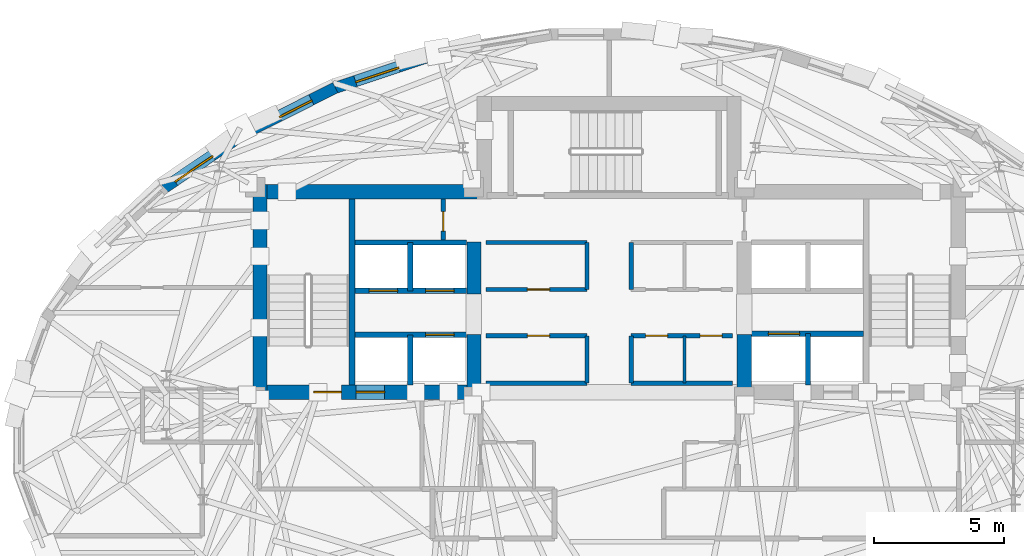
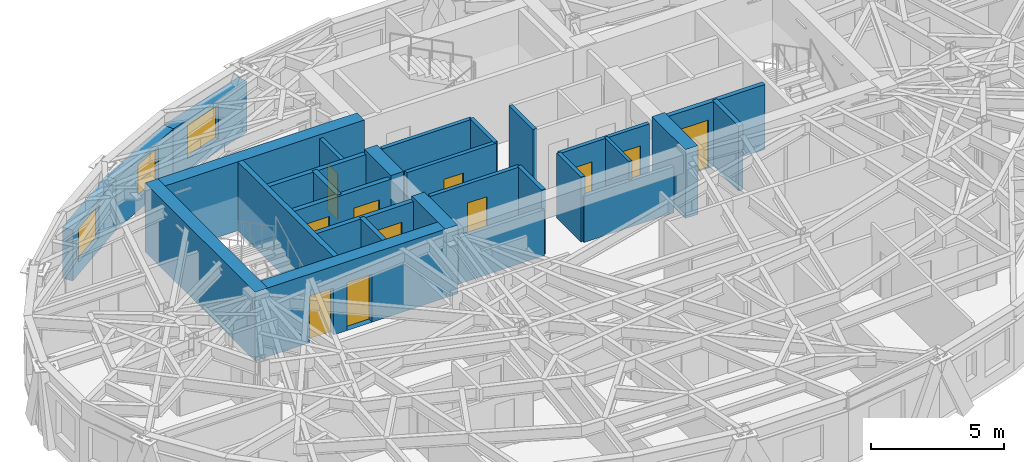
# One storey, part 8 of 14: 29 walls, 11 doors, 3 windows, 14 openings.
"""IFC4 building model written with IfcOpenShell, lengths in metres."""

from ifc_helpers import new_model, si_unit, direction, frame, frame_2d, origin, place, context, subcontext, project, spatial, rectangle, extrude, material, layer, layer_set, type_object, element, fill, save


model = new_model("IFC4")

# Units and contexts
model_context = context("Model", 3, precision=1e-05, world=origin(), true_north=direction((0.0, 1.0)))
body_context = subcontext(model_context, "Body", "Model", "MODEL_VIEW")
ifc_project = project(units=[si_unit("LENGTHUNIT", "METRE"), si_unit("AREAUNIT", "SQUARE_METRE"), si_unit("VOLUMEUNIT", "CUBIC_METRE"), si_unit("PLANEANGLEUNIT", "RADIAN"), si_unit("MASSUNIT", "GRAM", prefix="KILO")], contexts=[model_context])

# Site, building, storey
site_placement = place(None, origin())
site = spatial("IfcSite", under=ifc_project, at=site_placement, CompositionType="ELEMENT")
building_placement = place(site_placement, origin())
building = spatial("IfcBuilding", under=site, at=building_placement, Name="Keldmark Tower", CompositionType="ELEMENT")
storey_placement = place(building_placement, frame((0.0, 0.0, 222.60009765625)))
storey = spatial("IfcBuildingStorey", under=building, at=storey_placement, Name="L62", CompositionType="ELEMENT", Elevation=222.60009765625)

# Walls
ifc_material_1 = material(Name="Concrete C50/60", Category="concrete")
ifc_layer_1 = layer(ifc_material_1, 0.550048828125)
ifc_layer_set_1 = layer_set([ifc_layer_1], Name="Concrete C50/60")
wall_type_1 = type_object("IfcWallType", Name="High-Rise Core Shear Wall 550 mm", PredefinedType="SHEAR", material=ifc_layer_set_1)
wall_1_placement = place(storey_placement, frame((-13.425048828125, 1.300048828125, 0.0), z_axis=(0.0, 0.0, 1.0), x_axis=(0.0, 1.0, 0.0)))
element("IfcWall", 1, at=wall_1_placement, inside=storey, type_object=wall_type_1, Name="L62 West Core Outer Shear Wall", PredefinedType="SHEAR", context=body_context, shape_type="SweptSolid", body=[
    extrude(rectangle(XDim=8.25, YDim=0.550048828125, at=frame_2d((4.125, 0.0))), origin(), (0.0, 0.0, 1.0), 3.14990234375),
])
wall_2_placement = place(storey_placement, frame((-13.699951171875, 9.27490234375, 0.0), z_axis=(0.0, 0.0, 1.0), x_axis=(1.0, 0.0, 0.0)))
element("IfcWall", 2, at=wall_2_placement, inside=storey, type_object=wall_type_1, Name="L62 West Core North Shear Wall", PredefinedType="SHEAR", context=body_context, shape_type="SweptSolid", body=[
    extrude(rectangle(XDim=9.175048828125, YDim=0.550048828125, at=frame_2d((4.58740234375, 0.0))), origin(), (0.0, 0.0, 1.0), 3.14990234375),
])

# Wall, openings, doors
wall_3_placement = place(storey_placement, frame((-4.925048828125, 1.574951171875, 0.0), z_axis=(0.0, 0.0, 1.0), x_axis=(-1.0, 0.0, 0.0)))
wall_3 = element("IfcWall", 3, at=wall_3_placement, inside=storey, type_object=wall_type_1, Name="L62 West Core South Shear Wall", PredefinedType="SHEAR", context=body_context, shape_type="SweptSolid", body=[
    extrude(rectangle(XDim=8.77490234375, YDim=0.550048828125, at=frame_2d((4.387451171875, 0.0))), origin(), (0.0, 0.0, 1.0), 3.14990234375),
])
opening_1_placement = place(wall_3_placement, frame((5.375, 0.0, 0.0)))
opening_1 = element("IfcOpeningElement", 4, at=opening_1_placement, cuts=wall_3, Name="Opening D-ST105", PredefinedType="OPENING", context=body_context, shape_type="SweptSolid", body=[
    extrude(rectangle(XDim=1.050048828125, YDim=2.14990234375, at=frame_2d((0.52490234375, 1.074951171875))), frame((0.0, 0.284912109375, 0.0), z_axis=(0.0, -1.0, 0.0), x_axis=(1.0, 0.0, 0.0)), (0.0, 0.0, 1.0), 0.570068359375),
])
opening_2_placement = place(wall_3_placement, frame((3.705078125, 0.0, 0.0)))
opening_2 = element("IfcOpeningElement", 5, at=opening_2_placement, cuts=wall_3, Name="Opening LD-110", PredefinedType="OPENING", context=body_context, shape_type="SweptSolid", body=[
    extrude(rectangle(XDim=1.10009765625, YDim=2.199951171875, at=frame_2d((0.550048828125, 1.10009765625))), frame((0.0, 0.284912109375, 0.0), z_axis=(0.0, -1.0, 0.0), x_axis=(1.0, 0.0, 0.0)), (0.0, 0.0, 1.0), 0.570068359375),
])
ifc_material_2 = material(Name="Brushed Bronze Hoistway Sliding Leaf", Category="metal")
door_type_1 = type_object("IfcDoorType", Name="Lift Landing Sliding Door 1100x2200", OperationType="SLIDING_TO_LEFT", PredefinedType="DOOR", material=ifc_material_2)
door_1_placement = place(opening_2_placement, origin())
door_1 = element("IfcDoor", 6, at=door_1_placement, inside=storey, type_object=door_type_1, Name="L62 Lift Landing Sliding Door 1100x2200 LD-EL-FS1-L62", OperationType="SLIDING_TO_LEFT", OverallHeight=2.199951171875, OverallWidth=1.10009765625, PredefinedType="DOOR", context=body_context, shape_type="SweptSolid", body=[
    extrude(rectangle(XDim=1.10009765625, YDim=2.199951171875, at=frame_2d((0.550048828125, 1.10009765625))), frame((0.0, 0.02490234375, 0.0), z_axis=(0.0, -1.0, 0.0), x_axis=(1.0, 0.0, 0.0)), (0.0, 0.0, 1.0), 0.050048828125),
])
fill(opening_2, door_1)
ifc_material_3 = material(Name="Hollow Metal Fire-Rated Door Assembly", Category="metal")
door_type_2 = type_object("IfcDoorType", Name="Stair Fire Door 1050x2150", OperationType="NOTDEFINED", PredefinedType="DOOR", material=ifc_material_3)
door_2_placement = place(opening_1_placement, origin())
door_2 = element("IfcDoor", 7, at=door_2_placement, inside=storey, type_object=door_type_2, Name="L62 Stair Fire Door 1050x2150 D-ST1-L62", OperationType="SINGLE_SWING_RIGHT", OverallHeight=2.14990234375, OverallWidth=1.050048828125, PredefinedType="DOOR", context=body_context, shape_type="SweptSolid", body=[
    extrude(rectangle(XDim=1.050048828125, YDim=2.14990234375, at=frame_2d((0.52490234375, 1.074951171875))), frame((0.0, 0.02490234375, 0.0), z_axis=(0.0, -1.0, 0.0), x_axis=(1.0, 0.0, 0.0)), (0.0, 0.0, 1.0), 0.050048828125),
])
fill(opening_1, door_2)

# Walls
wall_4_placement = place(storey_placement, frame((-5.199951171875, 1.300048828125, 0.0), z_axis=(0.0, 0.0, 1.0), x_axis=(0.0, 1.0, 0.0)))
element("IfcWall", 8, at=wall_4_placement, inside=storey, type_object=wall_type_1, Name="L62 West Core Inner Shear Pier South", PredefinedType="SHEAR", context=body_context, shape_type="SweptSolid", body=[
    extrude(rectangle(XDim=2.5, YDim=0.550048828125, at=frame_2d((1.25, 0.0))), origin(), (0.0, 0.0, 1.0), 3.14990234375),
])
wall_5_placement = place(storey_placement, frame((-5.199951171875, 5.35009765625, 0.0), z_axis=(0.0, 0.0, 1.0), x_axis=(0.0, 1.0, 0.0)))
element("IfcWall", 9, at=wall_5_placement, inside=storey, type_object=wall_type_1, Name="L62 West Core Inner Shear Pier North", PredefinedType="SHEAR", context=body_context, shape_type="SweptSolid", body=[
    extrude(rectangle(XDim=2.0, YDim=0.550048828125, at=frame_2d((1.0, 0.0))), origin(), (0.0, 0.0, 1.0), 3.14990234375),
])
wall_6_placement = place(storey_placement, frame((5.199951171875, 1.300048828125, 0.0), z_axis=(0.0, 0.0, 1.0), x_axis=(0.0, 1.0, 0.0)))
element("IfcWall", 10, at=wall_6_placement, inside=storey, type_object=wall_type_1, Name="L62 East Core Inner Shear Pier South", PredefinedType="SHEAR", context=body_context, shape_type="SweptSolid", body=[
    extrude(rectangle(XDim=2.5, YDim=0.550048828125, at=frame_2d((1.25, 0.0))), origin(), (0.0, 0.0, 1.0), 3.14990234375),
])
ifc_material_4 = material(Name="Acoustic Gypsum Board Interior Partition", Category="gypsum")
ifc_layer_2 = layer(ifc_material_4, 0.1298828125)
ifc_layer_set_2 = layer_set([ifc_layer_2], Name="Acoustic Gypsum Board Interior Partition")
wall_type_2 = type_object("IfcWallType", Name="Interior Partition 130 mm", PredefinedType="PARTITIONING", material=ifc_layer_set_2)
wall_7_placement = place(storey_placement, frame((2.89990234375, 1.919921875, 0.0), z_axis=(0.0, 0.0, 1.0), x_axis=(0.0, 1.0, 0.0)))
element("IfcWall", 11, at=wall_7_placement, inside=storey, type_object=wall_type_2, Name="L62 Interior Partition 130 mm REC-LE-M", PredefinedType="PARTITIONING", context=body_context, shape_type="SweptSolid", body=[
    extrude(rectangle(XDim=1.820068359375, YDim=0.1298828125, at=frame_2d((0.91015625, 0.0))), origin(), (0.0, 0.0, 1.0), 2.969970703125),
])
ifc_material_5 = material(Name="Type X Fire-Rated Gypsum Partition Assembly", Category="gypsum")
ifc_layer_3 = layer(ifc_material_5, 0.1650390625)
ifc_layer_set_3 = layer_set([ifc_layer_3], Name="Type X Fire-Rated Gypsum Partition Assembly")
wall_type_3 = type_object("IfcWallType", Name="Rated Partition 165 mm", PredefinedType="PARTITIONING", material=ifc_layer_set_3)
wall_8_placement = place(storey_placement, frame((-4.739990234375, 1.919921875, 0.0), z_axis=(0.0, 0.0, 1.0), x_axis=(1.0, 0.0, 0.0)))
element("IfcWall", 12, at=wall_8_placement, inside=storey, type_object=wall_type_3, Name="L62 Rated Partition 165 mm REC-LW-S", PredefinedType="PARTITIONING", context=body_context, shape_type="SweptSolid", body=[
    extrude(rectangle(XDim=3.889892578125, YDim=0.1650390625, at=frame_2d((1.94482421875, 0.0))), origin(), (0.0, 0.0, 1.0), 2.10986328125),
])

# Wall, opening, door
wall_9_placement = place(storey_placement, frame((-4.739990234375, 3.739990234375, 0.0), z_axis=(0.0, 0.0, 1.0), x_axis=(1.0, 0.0, 0.0)))
wall_9 = element("IfcWall", 13, at=wall_9_placement, inside=storey, type_object=wall_type_3, Name="L62 Rated Partition 165 mm REC-LW-N", PredefinedType="PARTITIONING", context=body_context, shape_type="SweptSolid", body=[
    extrude(rectangle(XDim=3.889892578125, YDim=0.1650390625, at=frame_2d((1.94482421875, 0.0))), origin(), (0.0, 0.0, 1.0), 2.969970703125),
])
opening_3_placement = place(wall_9_placement, frame((1.60009765625, 0.0, 0.0)))
opening_3 = element("IfcOpeningElement", 14, at=opening_3_placement, cuts=wall_9, Name="Opening D-SV085", PredefinedType="OPENING", context=body_context, shape_type="SweptSolid", body=[
    extrude(rectangle(XDim=0.85009765625, YDim=2.10009765625, at=frame_2d((0.425048828125, 1.050048828125))), frame((0.0, 0.092529296875, 0.0), z_axis=(0.0, -1.0, 0.0), x_axis=(1.0, 0.0, 0.0)), (0.0, 0.0, 1.0), 0.18505859375),
])
ifc_material_6 = material(Name="Painted Hollow Metal Door Assembly", Category="metal")
door_type_3 = type_object("IfcDoorType", Name="Service Door 850x2100", OperationType="NOTDEFINED", PredefinedType="DOOR", material=ifc_material_6)
door_3_placement = place(opening_3_placement, origin())
door_3 = element("IfcDoor", 15, at=door_3_placement, inside=storey, type_object=door_type_3, Name="L62 Service Door 850x2100 D-RECLW1-L62", OperationType="SINGLE_SWING_LEFT", OverallHeight=2.10009765625, OverallWidth=0.85009765625, PredefinedType="DOOR", context=body_context, shape_type="SweptSolid", body=[
    extrude(rectangle(XDim=0.85009765625, YDim=2.10009765625, at=frame_2d((0.425048828125, 1.050048828125))), frame((0.0, 0.02490234375, 0.0), z_axis=(0.0, -1.0, 0.0), x_axis=(1.0, 0.0, 0.0)), (0.0, 0.0, 1.0), 0.050048828125),
])
fill(opening_3, door_3)

# Walls
wall_10_placement = place(storey_placement, frame((-0.85009765625, 1.919921875, 0.0), z_axis=(0.0, 0.0, 1.0), x_axis=(0.0, 1.0, 0.0)))
element("IfcWall", 16, at=wall_10_placement, inside=storey, type_object=wall_type_3, Name="L62 Rated Partition 165 mm REC-LW-E", PredefinedType="PARTITIONING", context=body_context, shape_type="SweptSolid", body=[
    extrude(rectangle(XDim=1.820068359375, YDim=0.1650390625, at=frame_2d((0.91015625, 0.0))), origin(), (0.0, 0.0, 1.0), 2.969970703125),
])
wall_11_placement = place(storey_placement, frame((0.85009765625, 1.919921875, 0.0), z_axis=(0.0, 0.0, 1.0), x_axis=(1.0, 0.0, 0.0)))
element("IfcWall", 17, at=wall_11_placement, inside=storey, type_object=wall_type_3, Name="L62 Rated Partition 165 mm REC-LE-S", PredefinedType="PARTITIONING", context=body_context, shape_type="SweptSolid", body=[
    extrude(rectangle(XDim=3.889892578125, YDim=0.1650390625, at=frame_2d((1.94482421875, 0.0))), origin(), (0.0, 0.0, 1.0), 2.10986328125),
])

# Wall, openings, doors
wall_12_placement = place(storey_placement, frame((0.85009765625, 3.739990234375, 0.0), z_axis=(0.0, 0.0, 1.0), x_axis=(1.0, 0.0, 0.0)))
wall_12 = element("IfcWall", 18, at=wall_12_placement, inside=storey, type_object=wall_type_3, Name="L62 Rated Partition 165 mm REC-LE-N", PredefinedType="PARTITIONING", context=body_context, shape_type="SweptSolid", body=[
    extrude(rectangle(XDim=3.889892578125, YDim=0.1650390625, at=frame_2d((1.94482421875, 0.0))), origin(), (0.0, 0.0, 1.0), 2.969970703125),
])
opening_4_placement = place(wall_12_placement, frame((0.550048828125, 0.0, 0.0)))
opening_4 = element("IfcOpeningElement", 19, at=opening_4_placement, cuts=wall_12, Name="Opening D-SV085", PredefinedType="OPENING", context=body_context, shape_type="SweptSolid", body=[
    extrude(rectangle(XDim=0.85009765625, YDim=2.10009765625, at=frame_2d((0.425048828125, 1.050048828125))), frame((0.0, 0.092529296875, 0.0), z_axis=(0.0, -1.0, 0.0), x_axis=(1.0, 0.0, 0.0)), (0.0, 0.0, 1.0), 0.18505859375),
])
opening_5_placement = place(wall_12_placement, frame((2.64990234375, 0.0, 0.0)))
opening_5 = element("IfcOpeningElement", 20, at=opening_5_placement, cuts=wall_12, Name="Opening D-SV085", PredefinedType="OPENING", context=body_context, shape_type="SweptSolid", body=[
    extrude(rectangle(XDim=0.85009765625, YDim=2.10009765625, at=frame_2d((0.425048828125, 1.050048828125))), frame((0.0, 0.092529296875, 0.0), z_axis=(0.0, -1.0, 0.0), x_axis=(1.0, 0.0, 0.0)), (0.0, 0.0, 1.0), 0.18505859375),
])
door_4_placement = place(opening_4_placement, origin())
door_4 = element("IfcDoor", 21, at=door_4_placement, inside=storey, type_object=door_type_3, Name="L62 Service Door 850x2100 D-RECLE1-L62", OperationType="SINGLE_SWING_LEFT", OverallHeight=2.10009765625, OverallWidth=0.85009765625, PredefinedType="DOOR", context=body_context, shape_type="SweptSolid", body=[
    extrude(rectangle(XDim=0.85009765625, YDim=2.10009765625, at=frame_2d((0.425048828125, 1.050048828125))), frame((0.0, 0.02490234375, 0.0), z_axis=(0.0, -1.0, 0.0), x_axis=(1.0, 0.0, 0.0)), (0.0, 0.0, 1.0), 0.050048828125),
])
fill(opening_4, door_4)
door_5_placement = place(opening_5_placement, origin())
door_5 = element("IfcDoor", 22, at=door_5_placement, inside=storey, type_object=door_type_3, Name="L62 Service Door 850x2100 D-RECLE2-L62", OperationType="SINGLE_SWING_RIGHT", OverallHeight=2.10009765625, OverallWidth=0.85009765625, PredefinedType="DOOR", context=body_context, shape_type="SweptSolid", body=[
    extrude(rectangle(XDim=0.85009765625, YDim=2.10009765625, at=frame_2d((0.425048828125, 1.050048828125))), frame((0.0, 0.02490234375, 0.0), z_axis=(0.0, -1.0, 0.0), x_axis=(1.0, 0.0, 0.0)), (0.0, 0.0, 1.0), 0.050048828125),
])
fill(opening_5, door_5)

# Wall
wall_13_placement = place(storey_placement, frame((0.85009765625, 1.919921875, 0.0), z_axis=(0.0, 0.0, 1.0), x_axis=(0.0, 1.0, 0.0)))
element("IfcWall", 23, at=wall_13_placement, inside=storey, type_object=wall_type_3, Name="L62 Rated Partition 165 mm REC-LE-W", PredefinedType="PARTITIONING", context=body_context, shape_type="SweptSolid", body=[
    extrude(rectangle(XDim=1.820068359375, YDim=0.1650390625, at=frame_2d((0.91015625, 0.0))), origin(), (0.0, 0.0, 1.0), 2.969970703125),
])

# Wall, opening, door
wall_14_placement = place(storey_placement, frame((-4.739990234375, 5.52001953125, 0.0), z_axis=(0.0, 0.0, 1.0), x_axis=(1.0, 0.0, 0.0)))
wall_14 = element("IfcWall", 24, at=wall_14_placement, inside=storey, type_object=wall_type_3, Name="L62 Rated Partition 165 mm REC-MW-S", PredefinedType="PARTITIONING", context=body_context, shape_type="SweptSolid", body=[
    extrude(rectangle(XDim=3.889892578125, YDim=0.1650390625, at=frame_2d((1.94482421875, 0.0))), origin(), (0.0, 0.0, 1.0), 2.969970703125),
])
opening_6_placement = place(wall_14_placement, frame((1.60009765625, 0.0, 0.0)))
opening_6 = element("IfcOpeningElement", 25, at=opening_6_placement, cuts=wall_14, Name="Opening D-SV085", PredefinedType="OPENING", context=body_context, shape_type="SweptSolid", body=[
    extrude(rectangle(XDim=0.85009765625, YDim=2.10009765625, at=frame_2d((0.425048828125, 1.050048828125))), frame((0.0, 0.092529296875, 0.0), z_axis=(0.0, -1.0, 0.0), x_axis=(1.0, 0.0, 0.0)), (0.0, 0.0, 1.0), 0.18505859375),
])
door_6_placement = place(opening_6_placement, origin())
door_6 = element("IfcDoor", 26, at=door_6_placement, inside=storey, type_object=door_type_3, Name="L62 Service Door 850x2100 D-RECMW1-L62", OperationType="SINGLE_SWING_LEFT", OverallHeight=2.10009765625, OverallWidth=0.85009765625, PredefinedType="DOOR", context=body_context, shape_type="SweptSolid", body=[
    extrude(rectangle(XDim=0.85009765625, YDim=2.10009765625, at=frame_2d((0.425048828125, 1.050048828125))), frame((0.0, 0.02490234375, 0.0), z_axis=(0.0, -1.0, 0.0), x_axis=(1.0, 0.0, 0.0)), (0.0, 0.0, 1.0), 0.050048828125),
])
fill(opening_6, door_6)

# Walls
wall_15_placement = place(storey_placement, frame((-4.739990234375, 7.330078125, 0.0), z_axis=(0.0, 0.0, 1.0), x_axis=(1.0, 0.0, 0.0)))
element("IfcWall", 27, at=wall_15_placement, inside=storey, type_object=wall_type_3, Name="L62 Rated Partition 165 mm REC-MW-N", PredefinedType="PARTITIONING", context=body_context, shape_type="SweptSolid", body=[
    extrude(rectangle(XDim=3.889892578125, YDim=0.1650390625, at=frame_2d((1.94482421875, 0.0))), origin(), (0.0, 0.0, 1.0), 2.969970703125),
])
for number, where, z_axis, x_axis, name in (
    (28, (-0.85009765625, 5.52001953125, 0.0), (0.0, 0.0, 1.0), (0.0, 1.0, 0.0), "L62 Rated Partition 165 mm REC-MW-E"),
    (29, (0.85009765625, 5.52001953125, 0.0), (0.0, 0.0, 1.0), (0.0, 1.0, 0.0), "L62 Rated Partition 165 mm REC-ME-W"),
):
    element("IfcWall", number, at=place(storey_placement, frame(where, z_axis=z_axis, x_axis=x_axis)), inside=storey, type_object=wall_type_3, Name=name, PredefinedType="PARTITIONING", context=body_context, shape_type="SweptSolid", body=[
        extrude(rectangle(XDim=1.81005859375, YDim=0.1650390625, at=frame_2d((0.905029296875, 0.0))), origin(), (0.0, 0.0, 1.0), 2.969970703125),
    ])

# Wall, opening, door
wall_16_placement = place(storey_placement, frame((-6.3798828125, 7.419921875, 0.0), z_axis=(0.0, 0.0, 1.0), x_axis=(0.0, 1.0, 0.0)))
wall_16 = element("IfcWall", 30, at=wall_16_placement, inside=storey, type_object=wall_type_3, Name="L62 Rated Partition 165 mm CS-NW-E", PredefinedType="PARTITIONING", context=body_context, shape_type="SweptSolid", body=[
    extrude(rectangle(XDim=1.580078125, YDim=0.1650390625, at=frame_2d((0.7900390625, 0.0))), origin(), (0.0, 0.0, 1.0), 2.969970703125),
])
opening_7_placement = place(wall_16_placement, frame((0.35009765625, 0.0, 0.0)))
opening_7 = element("IfcOpeningElement", 31, at=opening_7_placement, cuts=wall_16, Name="Opening D-RS075", PredefinedType="OPENING", context=body_context, shape_type="SweptSolid", body=[
    extrude(rectangle(XDim=0.75, YDim=2.10009765625, at=frame_2d((0.375, 1.050048828125))), frame((0.0, 0.092529296875, 0.0), z_axis=(0.0, -1.0, 0.0), x_axis=(1.0, 0.0, 0.0)), (0.0, 0.0, 1.0), 0.18505859375),
])
ifc_material_7 = material(Name="Galvanized Fire-Rated Access Leaf", Category="metal")
door_type_4 = type_object("IfcDoorType", Name="Riser Access Door 750x2100", OperationType="NOTDEFINED", PredefinedType="DOOR", material=ifc_material_7)
door_7_placement = place(opening_7_placement, origin())
door_7 = element("IfcDoor", 32, at=door_7_placement, inside=storey, type_object=door_type_4, Name="L62 Riser Access Door 750x2100 D-CSNW1-L62", OperationType="SINGLE_SWING_RIGHT", OverallHeight=2.10009765625, OverallWidth=0.75, PredefinedType="DOOR", context=body_context, shape_type="SweptSolid", body=[
    extrude(rectangle(XDim=0.75, YDim=2.10009765625, at=frame_2d((0.375, 1.050048828125))), frame((0.0, 0.02490234375, 0.0), z_axis=(0.0, -1.0, 0.0), x_axis=(1.0, 0.0, 0.0)), (0.0, 0.0, 1.0), 0.050048828125),
])
fill(opening_7, door_7)

ifc_material_8 = material(Name="Fire-Resistant Type X Gypsum Shaftliner Coreboard", Category="gypsum")
ifc_layer_4 = layer(ifc_material_8, 0.199951171875)
ifc_layer_set_4 = layer_set([ifc_layer_4], Name="Fire-Resistant Type X Gypsum Shaftliner Coreboard")
wall_type_4 = type_object("IfcWallType", Name="Shaft Wall 200 mm", PredefinedType="SOLIDWALL", material=ifc_layer_set_4)
wall_17_placement = place(storey_placement, frame((-9.780029296875, 3.780029296875, 0.0), z_axis=(0.0, 0.0, 1.0), x_axis=(1.0, 0.0, 0.0)))
wall_17 = element("IfcWall", 33, at=wall_17_placement, inside=storey, type_object=wall_type_4, Name="L62 Shaft Wall 200 mm HW-W-S", PredefinedType="SOLIDWALL", context=body_context, shape_type="SweptSolid", body=[
    extrude(rectangle(XDim=4.304931640625, YDim=0.199951171875, at=frame_2d((2.15234375, 0.0))), origin(), (0.0, 0.0, 1.0), 2.969970703125),
])
opening_8_placement = place(wall_17_placement, frame((2.719970703125, 0.0, 0.0)))
opening_8 = element("IfcOpeningElement", 34, at=opening_8_placement, cuts=wall_17, Name="Opening LD-110", PredefinedType="OPENING", context=body_context, shape_type="SweptSolid", body=[
    extrude(rectangle(XDim=1.10009765625, YDim=2.199951171875, at=frame_2d((0.550048828125, 1.10009765625))), frame((0.0, 0.10986328125, 0.0), z_axis=(0.0, -1.0, 0.0), x_axis=(1.0, 0.0, 0.0)), (0.0, 0.0, 1.0), 0.219970703125),
])
door_8_placement = place(opening_8_placement, origin())
door_8 = element("IfcDoor", 35, at=door_8_placement, inside=storey, type_object=door_type_1, Name="L62 Lift Landing Sliding Door 1100x2200 LD-EL-H3-L62", OperationType="SLIDING_TO_LEFT", OverallHeight=2.199951171875, OverallWidth=1.10009765625, PredefinedType="DOOR", context=body_context, shape_type="SweptSolid", body=[
    extrude(rectangle(XDim=1.10009765625, YDim=2.199951171875, at=frame_2d((0.550048828125, 1.10009765625))), frame((0.0, 0.02490234375, 0.0), z_axis=(0.0, -1.0, 0.0), x_axis=(1.0, 0.0, 0.0)), (0.0, 0.0, 1.0), 0.050048828125),
])
fill(opening_8, door_8)

# Wall
wall_18_placement = place(storey_placement, frame((-7.64990234375, 1.85009765625, 0.0), z_axis=(0.0, 0.0, 1.0), x_axis=(0.0, 1.0, 0.0)))
element("IfcWall", 36, at=wall_18_placement, inside=storey, type_object=wall_type_4, Name="L62 Shaft Wall 200 mm HW-W-M", PredefinedType="SOLIDWALL", context=body_context, shape_type="SweptSolid", body=[
    extrude(rectangle(XDim=1.929931640625, YDim=0.199951171875, at=frame_2d((0.96484375, 0.0))), origin(), (0.0, 0.0, 1.0), 2.969970703125),
])

# Wall, openings, doors
wall_19_placement = place(storey_placement, frame((-9.780029296875, 5.469970703125, 0.0), z_axis=(0.0, 0.0, 1.0), x_axis=(1.0, 0.0, 0.0)))
wall_19 = element("IfcWall", 37, at=wall_19_placement, inside=storey, type_object=wall_type_4, Name="L62 Shaft Wall 200 mm HW-W-N", PredefinedType="SOLIDWALL", context=body_context, shape_type="SweptSolid", body=[
    extrude(rectangle(XDim=4.304931640625, YDim=0.199951171875, at=frame_2d((2.15234375, 0.0))), origin(), (0.0, 0.0, 1.0), 2.969970703125),
])
opening_9_placement = place(wall_19_placement, frame((0.550048828125, 0.0, 0.0)))
opening_9 = element("IfcOpeningElement", 38, at=opening_9_placement, cuts=wall_19, Name="Opening LD-110", PredefinedType="OPENING", context=body_context, shape_type="SweptSolid", body=[
    extrude(rectangle(XDim=1.10009765625, YDim=2.199951171875, at=frame_2d((0.550048828125, 1.10009765625))), frame((0.0, 0.10986328125, 0.0), z_axis=(0.0, -1.0, 0.0), x_axis=(1.0, 0.0, 0.0)), (0.0, 0.0, 1.0), 0.219970703125),
])
opening_10_placement = place(wall_19_placement, frame((2.719970703125, 0.0, 0.0)))
opening_10 = element("IfcOpeningElement", 39, at=opening_10_placement, cuts=wall_19, Name="Opening LD-110", PredefinedType="OPENING", context=body_context, shape_type="SweptSolid", body=[
    extrude(rectangle(XDim=1.10009765625, YDim=2.199951171875, at=frame_2d((0.550048828125, 1.10009765625))), frame((0.0, 0.10986328125, 0.0), z_axis=(0.0, -1.0, 0.0), x_axis=(1.0, 0.0, 0.0)), (0.0, 0.0, 1.0), 0.219970703125),
])
door_9_placement = place(opening_9_placement, origin())
door_9 = element("IfcDoor", 40, at=door_9_placement, inside=storey, type_object=door_type_1, Name="L62 Lift Landing Sliding Door 1100x2200 LD-EL-H1-L62", OperationType="SLIDING_TO_LEFT", OverallHeight=2.199951171875, OverallWidth=1.10009765625, PredefinedType="DOOR", context=body_context, shape_type="SweptSolid", body=[
    extrude(rectangle(XDim=1.10009765625, YDim=2.199951171875, at=frame_2d((0.550048828125, 1.10009765625))), frame((0.0, 0.02490234375, 0.0), z_axis=(0.0, -1.0, 0.0), x_axis=(1.0, 0.0, 0.0)), (0.0, 0.0, 1.0), 0.050048828125),
])
fill(opening_9, door_9)
door_10_placement = place(opening_10_placement, origin())
door_10 = element("IfcDoor", 41, at=door_10_placement, inside=storey, type_object=door_type_1, Name="L62 Lift Landing Sliding Door 1100x2200 LD-EL-H2-L62", OperationType="SLIDING_TO_LEFT", OverallHeight=2.199951171875, OverallWidth=1.10009765625, PredefinedType="DOOR", context=body_context, shape_type="SweptSolid", body=[
    extrude(rectangle(XDim=1.10009765625, YDim=2.199951171875, at=frame_2d((0.550048828125, 1.10009765625))), frame((0.0, 0.02490234375, 0.0), z_axis=(0.0, -1.0, 0.0), x_axis=(1.0, 0.0, 0.0)), (0.0, 0.0, 1.0), 0.050048828125),
])
fill(opening_10, door_10)

# Walls
wall_20_placement = place(storey_placement, frame((-9.780029296875, 7.330078125, 0.0), z_axis=(0.0, 0.0, 1.0), x_axis=(1.0, 0.0, 0.0)))
element("IfcWall", 42, at=wall_20_placement, inside=storey, type_object=wall_type_4, Name="L62 Shaft Wall 200 mm HW-W-TOP", PredefinedType="SOLIDWALL", context=body_context, shape_type="SweptSolid", body=[
    extrude(rectangle(XDim=4.304931640625, YDim=0.199951171875, at=frame_2d((2.15234375, 0.0))), origin(), (0.0, 0.0, 1.0), 2.969970703125),
])
wall_21_placement = place(storey_placement, frame((-7.64990234375, 5.469970703125, 0.0), z_axis=(0.0, 0.0, 1.0), x_axis=(0.0, 1.0, 0.0)))
element("IfcWall", 43, at=wall_21_placement, inside=storey, type_object=wall_type_4, Name="L62 Shaft Wall 200 mm HW-W-NM", PredefinedType="SOLIDWALL", context=body_context, shape_type="SweptSolid", body=[
    extrude(rectangle(XDim=1.860107421875, YDim=0.199951171875, at=frame_2d((0.93017578125, 0.0))), origin(), (0.0, 0.0, 1.0), 2.969970703125),
])

# Wall, opening, door
wall_22_placement = place(storey_placement, frame((5.47509765625, 3.820068359375, 0.0), z_axis=(0.0, 0.0, 1.0), x_axis=(1.0, 0.0, 0.0)))
wall_22 = element("IfcWall", 44, at=wall_22_placement, inside=storey, type_object=wall_type_4, Name="L62 Shaft Wall 200 mm HW-E-S", PredefinedType="SOLIDWALL", context=body_context, shape_type="SweptSolid", body=[
    extrude(rectangle(XDim=4.304931640625, YDim=0.199951171875, at=frame_2d((2.15234375, 0.0))), origin(), (0.0, 0.0, 1.0), 2.969970703125),
])
opening_11_placement = place(wall_22_placement, frame((0.64990234375, 0.0, 0.0)))
opening_11 = element("IfcOpeningElement", 45, at=opening_11_placement, cuts=wall_22, Name="Opening LD-120", PredefinedType="OPENING", context=body_context, shape_type="SweptSolid", body=[
    extrude(rectangle(XDim=1.199951171875, YDim=2.199951171875, at=frame_2d((0.60009765625, 1.10009765625))), frame((0.0, 0.10986328125, 0.0), z_axis=(0.0, -1.0, 0.0), x_axis=(1.0, 0.0, 0.0)), (0.0, 0.0, 1.0), 0.219970703125),
])
ifc_material_9 = material(Name="Heavy-Duty Brushed Metal Hoistway Sliding Leaf", Category="metal")
door_type_5 = type_object("IfcDoorType", Name="Service Lift Sliding Door 1200x2200", OperationType="SLIDING_TO_RIGHT", PredefinedType="DOOR", material=ifc_material_9)
door_11_placement = place(opening_11_placement, origin())
door_11 = element("IfcDoor", 46, at=door_11_placement, inside=storey, type_object=door_type_5, Name="L62 Service Lift Sliding Door 1200x2200 LD-EL-SV1-L62", OperationType="SLIDING_TO_RIGHT", OverallHeight=2.199951171875, OverallWidth=1.199951171875, PredefinedType="DOOR", context=body_context, shape_type="SweptSolid", body=[
    extrude(rectangle(XDim=1.199951171875, YDim=2.199951171875, at=frame_2d((0.60009765625, 1.10009765625))), frame((0.0, 0.02490234375, 0.0), z_axis=(0.0, -1.0, 0.0), x_axis=(1.0, 0.0, 0.0)), (0.0, 0.0, 1.0), 0.050048828125),
])
fill(opening_11, door_11)

# Walls
wall_23_placement = place(storey_placement, frame((7.64990234375, 1.85009765625, 0.0), z_axis=(0.0, 0.0, 1.0), x_axis=(0.0, 1.0, 0.0)))
element("IfcWall", 47, at=wall_23_placement, inside=storey, type_object=wall_type_4, Name="L62 Shaft Wall 200 mm HW-E-M", PredefinedType="SOLIDWALL", context=body_context, shape_type="SweptSolid", body=[
    extrude(rectangle(XDim=1.969970703125, YDim=0.199951171875, at=frame_2d((0.98486328125, 0.0))), origin(), (0.0, 0.0, 1.0), 2.969970703125),
])
ifc_material_10 = material(Name="Concrete C50/60", Category="concrete")
ifc_layer_5 = layer(ifc_material_10, 0.219970703125)
ifc_layer_set_5 = layer_set([ifc_layer_5], Name="Concrete C50/60")
wall_type_5 = type_object("IfcWallType", Name="Stair Core Shear Wall 220 mm", PredefinedType="SHEAR", material=ifc_layer_set_5)
wall_24_placement = place(storey_placement, frame((-9.889892578125, 1.85009765625, 0.0), z_axis=(0.0, 0.0, 1.0), x_axis=(0.0, 1.0, 0.0)))
element("IfcWall", 48, at=wall_24_placement, inside=storey, type_object=wall_type_5, Name="L62 West Stair Core Shear Wall", PredefinedType="SHEAR", context=body_context, shape_type="SweptSolid", body=[
    extrude(rectangle(XDim=7.14990234375, YDim=0.219970703125, at=frame_2d((3.574951171875, 0.0))), origin(), (0.0, 0.0, 1.0), 3.14990234375),
])

# Wall, opening, window
ifc_material_11 = material(Name="Ironspot Manganese Brick and Kasota Buff Limestone Spandrel Assembly", Category="masonry")
ifc_layer_6 = layer(ifc_material_11, 0.43994140625)
ifc_layer_set_6 = layer_set([ifc_layer_6], Name="Ironspot Manganese Brick and Kasota Buff Limestone Spandrel Assembly")
wall_type_6 = type_object("IfcWallType", Name="Tower Brick Pier and Spandrel Wall 440 mm", PredefinedType="STANDARD", material=ifc_layer_set_6)
wall_25_placement = place(storey_placement, frame((-10.5546875, 13.271240234375, 0.0), z_axis=(0.0, 0.0, 1.0), x_axis=(0.948810648135, 0.315845459024, 0.0)))
wall_25 = element("IfcWall", 49, at=wall_25_placement, inside=storey, type_object=wall_type_6, Name="L62 Exterior Brick and Spandrel Wall 10", PredefinedType="STANDARD", context=body_context, shape_type="SweptSolid", body=[
    extrude(rectangle(XDim=4.215087890625, YDim=0.43994140625, at=frame_2d((2.107421875, 0.0))), origin(), (0.0, 0.0, 1.0), 2.3359375),
])
opening_12_placement = place(wall_25_placement, frame((0.839111328125, 0.0, 0.550048828125)))
opening_12 = element("IfcOpeningElement", 50, at=opening_12_placement, cuts=wall_25, Name="Opening W-05", PredefinedType="OPENING", context=body_context, shape_type="SweptSolid", body=[
    extrude(rectangle(XDim=1.75, YDim=1.550048828125, at=frame_2d((0.875, 0.77490234375))), frame((0.0, 0.22998046875, 0.0), z_axis=(0.0, -1.0, 0.0), x_axis=(1.0, 0.0, 0.0)), (0.0, 0.0, 1.0), 0.4599609375),
])
ifc_material_12 = material(Name="Thermally Broken Anodized Aluminum and Triple Low-E Argon Glazing", Category="aluminium")
window_type_1 = type_object("IfcWindowType", Name="Residential Deep-Set Window 1750x1550", PartitioningType="DOUBLE_PANEL_VERTICAL", PredefinedType="WINDOW", material=ifc_material_12)
window_1_placement = place(opening_12_placement, origin())
window_1 = element("IfcWindow", 51, at=window_1_placement, inside=storey, type_object=window_type_1, Name="L62 Deep-Set Window 10", OverallHeight=1.550048828125, OverallWidth=1.75, PartitioningType="SINGLE_PANEL", PredefinedType="WINDOW", context=body_context, shape_type="SweptSolid", body=[
    extrude(rectangle(XDim=1.75, YDim=1.550048828125, at=frame_2d((0.875, 0.77490234375))), frame((0.0, -0.010009765625, 0.0), z_axis=(0.0, -1.0, 0.0), x_axis=(1.0, 0.0, 0.0)), (0.0, 0.0, 1.0), 0.06005859375),
])
fill(opening_12, window_1)

wall_26_placement = place(storey_placement, frame((-14.057373046875, 11.502197265625, 0.0), z_axis=(0.0, 0.0, 1.0), x_axis=(0.892866610217, 0.450321236851, 0.0)))
wall_26 = element("IfcWall", 52, at=wall_26_placement, inside=storey, type_object=wall_type_6, Name="L62 Exterior Brick and Spandrel Wall 11", PredefinedType="STANDARD", context=body_context, shape_type="SweptSolid", body=[
    extrude(rectangle(XDim=3.9560546875, YDim=0.43994140625, at=frame_2d((1.97802734375, 0.0))), origin(), (0.0, 0.0, 1.0), 2.3359375),
])
opening_13_placement = place(wall_26_placement, frame((1.52294921875, 0.0, 0.550048828125)))
opening_13 = element("IfcOpeningElement", 53, at=opening_13_placement, cuts=wall_26, Name="Opening W-08", PredefinedType="OPENING", context=body_context, shape_type="SweptSolid", body=[
    extrude(rectangle(XDim=1.39990234375, YDim=1.550048828125, at=frame_2d((0.699951171875, 0.77490234375))), frame((0.0, 0.22998046875, 0.0), z_axis=(0.0, -1.0, 0.0), x_axis=(1.0, 0.0, 0.0)), (0.0, 0.0, 1.0), 0.4599609375),
])
ifc_material_13 = material(Name="Thermally Broken Anodized Aluminum and Triple Low-E Argon Glazing", Category="aluminium")
window_type_2 = type_object("IfcWindowType", Name="Residential Corner Punched Window 1400x1550", PartitioningType="SINGLE_PANEL", PredefinedType="WINDOW", material=ifc_material_13)
window_2_placement = place(opening_13_placement, origin())
window_2 = element("IfcWindow", 54, at=window_2_placement, inside=storey, type_object=window_type_2, Name="L62 Deep-Set Window 11", OverallHeight=1.550048828125, OverallWidth=1.39990234375, PartitioningType="SINGLE_PANEL", PredefinedType="WINDOW", context=body_context, shape_type="SweptSolid", body=[
    extrude(rectangle(XDim=1.39990234375, YDim=1.550048828125, at=frame_2d((0.699951171875, 0.77490234375))), frame((0.0, -0.010009765625, 0.0), z_axis=(0.0, -1.0, 0.0), x_axis=(1.0, 0.0, 0.0)), (0.0, 0.0, 1.0), 0.06005859375),
])
fill(opening_13, window_2)

wall_27_placement = place(storey_placement, frame((-17.126220703125, 9.418701171875, 0.0), z_axis=(0.0, 0.0, 1.0), x_axis=(0.827642668093, 0.561255391023, 0.0)))
wall_27 = element("IfcWall", 55, at=wall_27_placement, inside=storey, type_object=wall_type_6, Name="L62 Exterior Brick and Spandrel Wall 12", PredefinedType="STANDARD", context=body_context, shape_type="SweptSolid", body=[
    extrude(rectangle(XDim=3.737548828125, YDim=0.43994140625, at=frame_2d((1.86865234375, 0.0))), origin(), (0.0, 0.0, 1.0), 2.3359375),
])
opening_14_placement = place(wall_27_placement, frame((0.49755859375, 0.0, 0.550048828125)))
opening_14 = element("IfcOpeningElement", 56, at=opening_14_placement, cuts=wall_27, Name="Opening W-05", PredefinedType="OPENING", context=body_context, shape_type="SweptSolid", body=[
    extrude(rectangle(XDim=1.75, YDim=1.550048828125, at=frame_2d((0.875, 0.77490234375))), frame((0.0, 0.22998046875, 0.0), z_axis=(0.0, -1.0, 0.0), x_axis=(1.0, 0.0, 0.0)), (0.0, 0.0, 1.0), 0.4599609375),
])
window_3_placement = place(opening_14_placement, origin())
window_3 = element("IfcWindow", 57, at=window_3_placement, inside=storey, type_object=window_type_1, Name="L62 Deep-Set Window 12", OverallHeight=1.550048828125, OverallWidth=1.75, PartitioningType="SINGLE_PANEL", PredefinedType="WINDOW", context=body_context, shape_type="SweptSolid", body=[
    extrude(rectangle(XDim=1.75, YDim=1.550048828125, at=frame_2d((0.875, 0.77490234375))), frame((0.0, -0.010009765625, 0.0), z_axis=(0.0, -1.0, 0.0), x_axis=(1.0, 0.0, 0.0)), (0.0, 0.0, 1.0), 0.06005859375),
])
fill(opening_14, window_3)

save(model, "model.ifc")
